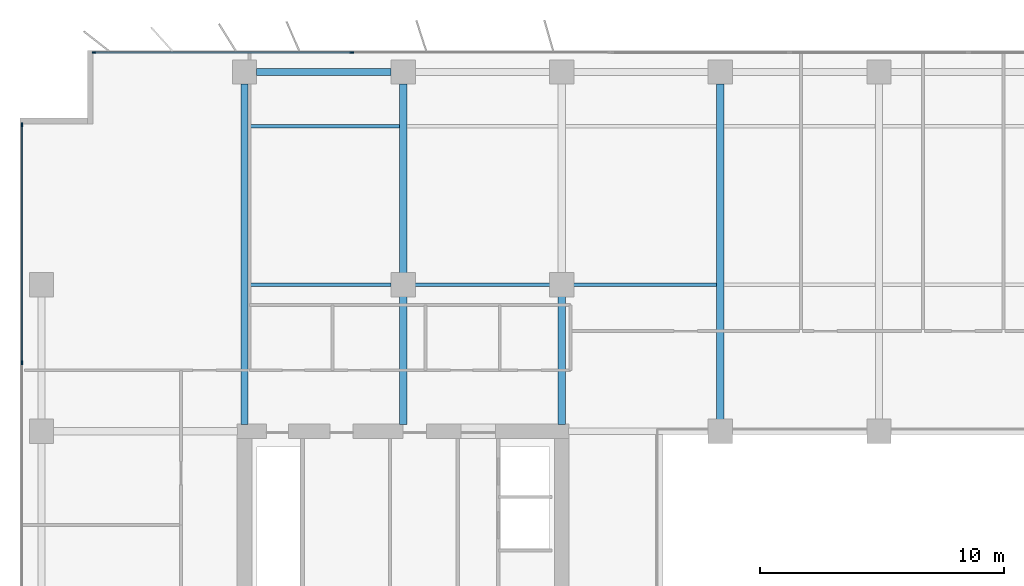
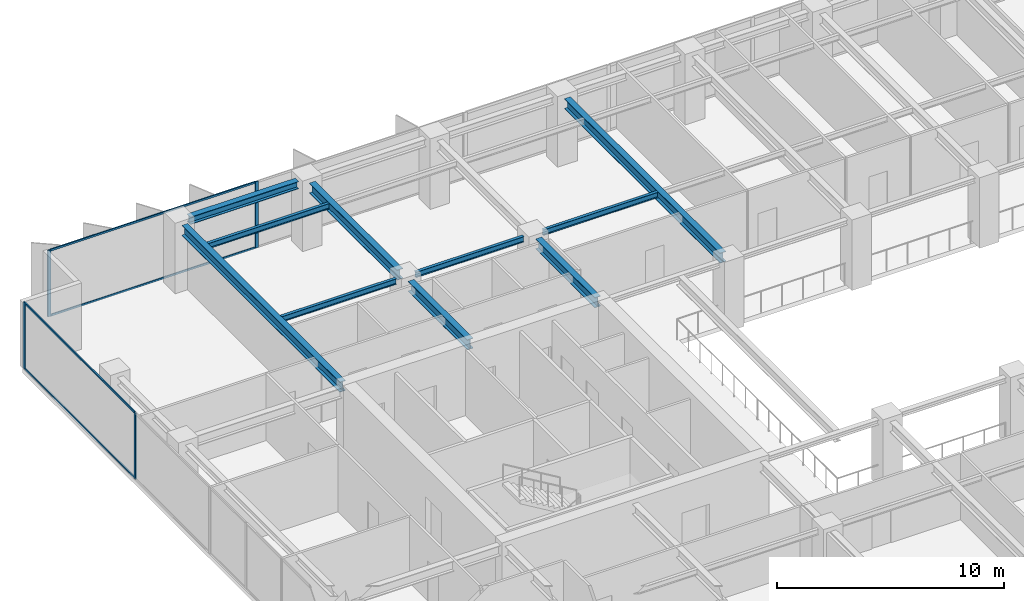
# One storey, part 8 of 22: 10 beams, 8 members, 2 elements without a shape of their own.
"""IFC4 building model written with IfcOpenShell, lengths in metres."""

import ifcopenshell
import ifcopenshell.guid

model = None  # the IFC model being written
_history = None  # IfcOwnerHistory: only IFC2X3 demands one
_inside = {}  # id of a spatial element -> (the spatial element, [elements in it])
_under = {}  # id of a project, library or spatial element -> (it, [spatial elements below it])
_declared = {}  # id of a project -> (the project, [libraries it declares])
_typed = {}  # id of a type object -> (the type object, [elements of that type])
_made_of = {}  # id of a material, layer set ... -> (it, [elements and type objects made of it])


def new_model(schema):
    """Start an empty IFC model of exactly this schema.

    Asked for "IFC4X3", IfcOpenShell would pick the latest addendum, in which some entities
    have other attributes; the version numbers below select the first issue.
    IFC2X3 requires an IfcOwnerHistory on every rooted entity: one is made here for all.
    """
    global model, _history
    if schema == "IFC4X3":
        model = ifcopenshell.file(schema_version=(4, 3, 0, 0))
    else:
        model = ifcopenshell.file(schema=schema)
    _inside.clear()
    _under.clear()
    _declared.clear()
    _typed.clear()
    _made_of.clear()
    _history = None
    if model.schema == "IFC2X3":
        org = make("IfcOrganization", Name="unknown")
        user = make(
            "IfcPersonAndOrganization",
            ThePerson=make("IfcPerson", FamilyName="unknown"),
            TheOrganization=org,
        )
        app = make(
            "IfcApplication",
            ApplicationDeveloper=org,
            Version="unknown",
            ApplicationFullName="unknown",
            ApplicationIdentifier="unknown",
        )
        _history = make(
            "IfcOwnerHistory",
            OwningUser=user,
            OwningApplication=app,
            ChangeAction="ADDED",
            CreationDate=0,
        )
    return model


def make(cls, **values):
    """One entity of the class cls with the attributes given. An attribute that is None is left unset."""
    return model.create_entity(
        cls, **{name: value for name, value in values.items() if value is not None}
    )


def rooted(cls, **values):
    """An entity with a GlobalId (a new one), such as an element, a storey or a relation."""
    return make(cls, GlobalId=ifcopenshell.guid.new(), OwnerHistory=_history, **values)


def si_unit(unit_type, name, prefix=None):
    """IfcSIUnit, for example si_unit("LENGTHUNIT", "METRE", prefix="MILLI")."""
    return make("IfcSIUnit", UnitType=unit_type, Prefix=prefix, Name=name)


def assignment(units):
    """IfcUnitAssignment: the units of a project."""
    return None if units is None else make("IfcUnitAssignment", Units=units)


def point(xyz):
    """IfcCartesianPoint."""
    return None if xyz is None else make("IfcCartesianPoint", Coordinates=xyz)


def direction(xyz):
    """IfcDirection."""
    return None if xyz is None else make("IfcDirection", DirectionRatios=xyz)


def frame(location, z_axis=None, x_axis=None):
    """IfcAxis2Placement3D, a coordinate frame: its origin and axes. An axis left out is left unset."""
    return make(
        "IfcAxis2Placement3D",
        Location=point(location),
        Axis=direction(z_axis),
        RefDirection=direction(x_axis),
    )


def frame_2d(location, x_axis=None):
    """IfcAxis2Placement2D, a coordinate frame in the plane: its origin and x axis."""
    return make(
        "IfcAxis2Placement2D", Location=point(location), RefDirection=direction(x_axis)
    )


def origin():
    """The frame at (0, 0, 0) with its axes left unset."""
    return frame((0.0, 0.0, 0.0))


def origin_2d():
    """The frame at (0, 0) in the plane with its x axis left unset."""
    return frame_2d((0.0, 0.0))


def place(relative_to, where):
    """IfcLocalPlacement: puts the frame where relative to a parent placement (None: the world)."""
    return make(
        "IfcLocalPlacement", PlacementRelTo=relative_to, RelativePlacement=where
    )


def context(
    kind, dimensions, precision=None, world=None, true_north=None, identifier=None
):
    """IfcGeometricRepresentationContext, for example the 3D "Model" context."""
    return make(
        "IfcGeometricRepresentationContext",
        ContextIdentifier=identifier,
        ContextType=kind,
        CoordinateSpaceDimension=dimensions,
        Precision=precision,
        WorldCoordinateSystem=world,
        TrueNorth=true_north,
    )


def subcontext(parent, identifier, kind, view, scale=None):
    """IfcGeometricRepresentationSubContext, for example "Body" below "Model"."""
    return make(
        "IfcGeometricRepresentationSubContext",
        ContextIdentifier=identifier,
        ContextType=kind,
        ParentContext=parent,
        TargetScale=scale,
        TargetView=view,
    )


def project(units=None, contexts=None):
    """IfcProject with its units and contexts."""
    return rooted(
        "IfcProject",
        Name="project",
        RepresentationContexts=contexts,
        UnitsInContext=assignment(units),
    )


def spatial(cls, under=None, at=None, **own):
    """A site, building, storey or space (cls), placed at a placement, below another one or the project."""
    s = rooted(cls, ObjectPlacement=at, **own)
    if under is not None:
        _under.setdefault(under.id(), (under, []))[1].append(s)
    return s


def profile(cls, at=None, kind="AREA", **sizes):
    """A parametric profile (cls). Its sizes go by their IFC names, for example OverallWidth=200.0."""
    return make(cls, ProfileType=kind, Position=at, **sizes)


def rectangle(**sizes):
    """IfcRectangleProfileDef."""
    return profile("IfcRectangleProfileDef", **sizes)


def i_section(**sizes):
    """IfcIShapeProfileDef."""
    return profile("IfcIShapeProfileDef", **sizes)


def extrude(swept, where, along, depth):
    """IfcExtrudedAreaSolid: the profile swept, set in the frame where, extruded along a direction by depth."""
    return make(
        "IfcExtrudedAreaSolid",
        SweptArea=swept,
        Position=where,
        ExtrudedDirection=direction(along),
        Depth=depth,
    )


def shape(context_of_items, identifier, shape_type, items):
    """IfcShapeRepresentation: the items that make up one representation, for example the "Body"."""
    return make(
        "IfcShapeRepresentation",
        ContextOfItems=context_of_items,
        RepresentationIdentifier=identifier,
        RepresentationType=shape_type,
        Items=items,
    )


def material(Name=None, Category=None):
    """IfcMaterial."""
    return make("IfcMaterial", Name=Name, Category=Category)


def layer(
    of_material, thickness, ventilated=None, Name=None, Category=None, Priority=None
):
    """IfcMaterialLayer: one layer of a wall or slab, of a material (None: an air gap)."""
    return make(
        "IfcMaterialLayer",
        Material=of_material,
        LayerThickness=thickness,
        IsVentilated=ventilated,
        Name=Name,
        Category=Category,
        Priority=Priority,
    )


def layer_set(layers, Name=None):
    """IfcMaterialLayerSet."""
    return make("IfcMaterialLayerSet", MaterialLayers=layers, LayerSetName=Name)


def material_profile(
    of_material, cross_section, Name=None, Category=None, Priority=None
):
    """IfcMaterialProfile: a cross section and its material."""
    return make(
        "IfcMaterialProfile",
        Name=Name,
        Material=of_material,
        Profile=cross_section,
        Priority=Priority,
        Category=Category,
    )


def profile_set(profiles, Name=None, composite=None):
    """IfcMaterialProfileSet."""
    return make(
        "IfcMaterialProfileSet",
        Name=Name,
        MaterialProfiles=profiles,
        CompositeProfile=composite,
    )


def made_of(thing, what):
    """Note that an element or type object is made of a material, layer set ...; save() writes the relation."""
    if what is not None:
        _made_of.setdefault(what.id(), (what, []))[1].append(thing)
    return thing


def type_object(cls, material=None, **own):
    """A type object (cls), such as IfcWallType, which elements share."""
    return made_of(rooted(cls, **own), material)


def element(
    cls,
    number,
    at=None,
    inside=None,
    cuts=None,
    type_object=None,
    material=None,
    context=None,
    identifier="Body",
    shape_type=None,
    held_by="IfcProductDefinitionShape",
    body=None,
    shapes=None,
    **own,
):
    """One element of the class cls, such as IfcWall. Its Tag is "e" and its number.

    at: its placement. inside: the storey or other place that contains it. cuts: it is an
    opening in that element (IfcRelVoidsElement). A single representation is given by context,
    identifier, shape_type and body (its items); several are given by shapes. held_by: the class
    of the entity that holds the representations. save() writes the other relations.
    """
    e = rooted(cls, Tag="e%d" % number, ObjectPlacement=at, **own)
    if body is not None:
        shapes = [shape(context, identifier, shape_type, body)]
    if shapes is not None:
        e.Representation = make(held_by, Representations=shapes)
    if inside is not None:
        _inside.setdefault(inside.id(), (inside, []))[1].append(e)
    if cuts is not None:
        rooted(
            "IfcRelVoidsElement", RelatingBuildingElement=cuts, RelatedOpeningElement=e
        )
    if type_object is not None:
        _typed.setdefault(type_object.id(), (type_object, []))[1].append(e)
    return made_of(e, material)


def aggregate(whole, parts):
    """IfcRelAggregates: a whole, such as a stair, and the parts it consists of."""
    return rooted("IfcRelAggregates", RelatingObject=whole, RelatedObjects=parts)


def save(model, path):
    """Write the relations noted so far, then the file.

    IfcRelAggregates (storeys below a building ...), IfcRelContainedInSpatialStructure (elements
    in a storey), IfcRelDefinesByType, IfcRelAssociatesMaterial and IfcRelDeclares: one each for
    every whole, place, type object, material and project.
    """
    for whole, parts in _under.values():
        aggregate(whole, parts)
    for where, things in _inside.values():
        rooted(
            "IfcRelContainedInSpatialStructure",
            RelatedElements=things,
            RelatingStructure=where,
        )
    for kind, things in _typed.values():
        rooted("IfcRelDefinesByType", RelatedObjects=things, RelatingType=kind)
    for what, things in _made_of.values():
        rooted("IfcRelAssociatesMaterial", RelatedObjects=things, RelatingMaterial=what)
    for by, libraries in _declared.values():
        rooted("IfcRelDeclares", RelatingContext=by, RelatedDefinitions=libraries)
    model.write(path)


model = new_model("IFC4")

# Units and contexts
model_context = context("Model", 3, precision=1e-05, world=origin(), true_north=direction((0.0, 1.0)))
body_context = subcontext(model_context, "Body", "Model", "MODEL_VIEW")
ifc_project = project(units=[si_unit("LENGTHUNIT", "METRE"), si_unit("AREAUNIT", "SQUARE_METRE"), si_unit("VOLUMEUNIT", "CUBIC_METRE"), si_unit("PLANEANGLEUNIT", "RADIAN"), si_unit("MASSUNIT", "GRAM", prefix="KILO")], contexts=[model_context])

# Site, building, storey
site_placement = place(None, origin())
site = spatial("IfcSite", under=ifc_project, at=site_placement, CompositionType="ELEMENT")
building_placement = place(site_placement, origin())
building = spatial("IfcBuilding", under=site, at=building_placement, Name="Putna Gate Headquarters", CompositionType="ELEMENT")
storey_placement = place(building_placement, frame((0.0, 0.0, 189.800048828125)))
storey = spatial("IfcBuildingStorey", under=building, at=storey_placement, Name="L47", CompositionType="ELEMENT", Elevation=189.800048828125)

# Beams
ifc_material_1 = material(Name="Steel S355J2", Category="steel")
ifc_material_profile_1 = material_profile(ifc_material_1, i_section(OverallWidth=0.300048828125, OverallDepth=0.550048828125, WebThickness=0.014892578125, FlangeThickness=0.029052734375, at=origin_2d()), Name="Steel S355J2")
ifc_profile_set_1 = profile_set([ifc_material_profile_1], Name="Steel S355J2")
beam_type_1 = type_object("IfcBeamType", Name="BM-GIRD-Z3-HEB550", PredefinedType="USERDEFINED", material=ifc_profile_set_1)
beam_1_placement = place(storey_placement, frame((13.0, 33.284912109375, 3.296875), z_axis=(0.0, 1.0, 0.0), x_axis=(-1.0, 0.0, 0.0)))
element("IfcBeam", 1, at=beam_1_placement, inside=storey, type_object=beam_type_1, Name="L47 North Primary Girder X13", ObjectType="GIRDER", PredefinedType="USERDEFINED", context=body_context, shape_type="SweptSolid", body=[
    extrude(i_section(OverallWidth=0.300048828125, OverallDepth=0.550048828125, WebThickness=0.014892578125, FlangeThickness=0.029052734375, at=origin_2d()), origin(), (0.0, 0.0, 1.0), 13.947021484375),
])
beam_2_placement = place(storey_placement, frame((19.5, 33.284912109375, 3.296875), z_axis=(0.0, 1.0, 0.0), x_axis=(-1.0, 0.0, 0.0)))
element("IfcBeam", 2, at=beam_2_placement, inside=storey, type_object=beam_type_1, Name="L47 North Primary Girder X19-1", ObjectType="GIRDER", PredefinedType="USERDEFINED", context=body_context, shape_type="SweptSolid", body=[
    extrude(i_section(OverallWidth=0.300048828125, OverallDepth=0.550048828125, WebThickness=0.014892578125, FlangeThickness=0.029052734375, at=origin_2d()), origin(), (0.0, 0.0, 1.0), 5.22705078125),
])
beam_3_placement = place(storey_placement, frame((19.5, 39.488037109375, 3.296875), z_axis=(0.0, 1.0, 0.0), x_axis=(-1.0, 0.0, 0.0)))
element("IfcBeam", 3, at=beam_3_placement, inside=storey, type_object=beam_type_1, Name="L47 North Primary Girder X19-2", ObjectType="GIRDER", PredefinedType="USERDEFINED", context=body_context, shape_type="SweptSolid", body=[
    extrude(i_section(OverallWidth=0.300048828125, OverallDepth=0.550048828125, WebThickness=0.014892578125, FlangeThickness=0.029052734375, at=origin_2d()), origin(), (0.0, 0.0, 1.0), 7.743896484375),
])
beam_4_placement = place(storey_placement, frame((26.0, 33.284912109375, 3.296875), z_axis=(0.0, 1.0, 0.0), x_axis=(-1.0, 0.0, 0.0)))
element("IfcBeam", 4, at=beam_4_placement, inside=storey, type_object=beam_type_1, Name="L47 North Primary Girder X26-1", ObjectType="GIRDER", PredefinedType="USERDEFINED", context=body_context, shape_type="SweptSolid", body=[
    extrude(i_section(OverallWidth=0.300048828125, OverallDepth=0.550048828125, WebThickness=0.014892578125, FlangeThickness=0.029052734375, at=origin_2d()), origin(), (0.0, 0.0, 1.0), 5.22705078125),
])
beam_5_placement = place(storey_placement, frame((32.5, 33.488037109375, 3.296875), z_axis=(0.0, 1.0, 0.0), x_axis=(-1.0, 0.0, 0.0)))
element("IfcBeam", 5, at=beam_5_placement, inside=storey, type_object=beam_type_1, Name="L47 North Primary Girder X32", ObjectType="GIRDER", PredefinedType="USERDEFINED", context=body_context, shape_type="SweptSolid", body=[
    extrude(i_section(OverallWidth=0.300048828125, OverallDepth=0.550048828125, WebThickness=0.014892578125, FlangeThickness=0.029052734375, at=origin_2d()), origin(), (0.0, 0.0, 1.0), 13.743896484375),
])
ifc_material_profile_2 = material_profile(ifc_material_1, i_section(OverallWidth=0.14990234375, OverallDepth=0.300048828125, WebThickness=0.007080078125, FlangeThickness=0.0107421875, at=origin_2d()), Name="Steel S355J2")
ifc_profile_set_2 = profile_set([ifc_material_profile_2], Name="Steel S355J2")
beam_type_2 = type_object("IfcBeamType", Name="BM-SEC-Z3-IPE300", PredefinedType="JOIST", material=ifc_profile_set_2)
beam_6_placement = place(storey_placement, frame((13.154052734375, 39.0, 3.421875), z_axis=(1.0, 0.0, 0.0), x_axis=(0.0, 1.0, 0.0)))
element("IfcBeam", 6, at=beam_6_placement, inside=storey, type_object=beam_type_2, Name="L47 North Secondary Beam 1", PredefinedType="JOIST", context=body_context, shape_type="SweptSolid", body=[
    extrude(i_section(OverallWidth=0.14990234375, OverallDepth=0.300048828125, WebThickness=0.007080078125, FlangeThickness=0.0107421875, at=origin_2d()), origin(), (0.0, 0.0, 1.0), 5.85791015625),
])
beam_7_placement = place(storey_placement, frame((13.154052734375, 45.5, 3.421875), z_axis=(1.0, 0.0, 0.0), x_axis=(0.0, 1.0, 0.0)))
element("IfcBeam", 7, at=beam_7_placement, inside=storey, type_object=beam_type_2, Name="L47 North Secondary Beam 1", PredefinedType="JOIST", context=body_context, shape_type="SweptSolid", body=[
    extrude(i_section(OverallWidth=0.14990234375, OverallDepth=0.300048828125, WebThickness=0.007080078125, FlangeThickness=0.0107421875, at=origin_2d()), origin(), (0.0, 0.0, 1.0), 6.19189453125),
])
beam_8_placement = place(storey_placement, frame((19.988037109375, 39.0, 3.421875), z_axis=(1.0, 0.0, 0.0), x_axis=(0.0, 1.0, 0.0)))
element("IfcBeam", 8, at=beam_8_placement, inside=storey, type_object=beam_type_2, Name="L47 North Secondary Beam 2", PredefinedType="JOIST", context=body_context, shape_type="SweptSolid", body=[
    extrude(i_section(OverallWidth=0.14990234375, OverallDepth=0.300048828125, WebThickness=0.007080078125, FlangeThickness=0.0107421875, at=origin_2d()), origin(), (0.0, 0.0, 1.0), 5.52392578125),
])
beam_9_placement = place(storey_placement, frame((26.488037109375, 39.0, 3.421875), z_axis=(1.0, 0.0, 0.0), x_axis=(0.0, 1.0, 0.0)))
element("IfcBeam", 9, at=beam_9_placement, inside=storey, type_object=beam_type_2, Name="L47 North Secondary Beam 3", PredefinedType="JOIST", context=body_context, shape_type="SweptSolid", body=[
    extrude(i_section(OverallWidth=0.14990234375, OverallDepth=0.300048828125, WebThickness=0.007080078125, FlangeThickness=0.0107421875, at=origin_2d()), origin(), (0.0, 0.0, 1.0), 5.85791015625),
])
ifc_material_profile_3 = material_profile(ifc_material_1, i_section(OverallWidth=0.300048828125, OverallDepth=0.39990234375, WebThickness=0.013427734375, FlangeThickness=0.02392578125, at=origin_2d()), Name="Steel S355J2")
ifc_profile_set_3 = profile_set([ifc_material_profile_3], Name="Steel S355J2")
beam_type_3 = type_object("IfcBeamType", Name="BM-SPAN-Z3-HEB400", PredefinedType="SPANDREL", material=ifc_profile_set_3)
beam_10_placement = place(storey_placement, frame((13.488037109375, 47.719970703125, 3.3720703125), z_axis=(1.0, 0.0, 0.0), x_axis=(0.0, 1.0, 0.0)))
element("IfcBeam", 10, at=beam_10_placement, inside=storey, type_object=beam_type_3, Name="L47 N Perimeter Spandrel 1", PredefinedType="SPANDREL", context=body_context, shape_type="SweptSolid", body=[
    extrude(i_section(OverallWidth=0.300048828125, OverallDepth=0.39990234375, WebThickness=0.013427734375, FlangeThickness=0.02392578125, at=origin_2d()), origin(), (0.0, 0.0, 1.0), 5.52392578125),
])

# Curtain wall, members
ifc_material_2 = material(Name="Anodised bronze aluminium curtain wall", Category="aluminium")
ifc_layer = layer(ifc_material_2, 0.159912109375)
ifc_layer_set = layer_set([ifc_layer], Name="Anodised bronze aluminium curtain wall")
curtain_wall_type = type_object("IfcCurtainWallType", Name="CW-SYS-Z3", PredefinedType="USERDEFINED", material=ifc_layer_set)
curtain_wall_1_placement = place(storey_placement, origin())
curtain_wall_1 = element("IfcCurtainWall", 11, at=curtain_wall_1_placement, inside=storey, type_object=curtain_wall_type, Name="L47 North West Curtain Wall", ObjectType="STICK CURTAIN WALL", PredefinedType="USERDEFINED")
ifc_material_3 = material(Name="Anodised bronze aluminium EN AW-6060", Category="aluminium")
ifc_material_profile_4 = material_profile(ifc_material_3, rectangle(XDim=0.06494140625, YDim=0.159912109375, at=origin_2d()), Name="Anodised bronze aluminium EN AW-6060")
ifc_profile_set_4 = profile_set([ifc_material_profile_4], Name="Anodised bronze aluminium EN AW-6060")
member_type_1 = type_object("IfcMemberType", Name="MULL-CWM-3", PredefinedType="MULLION", material=ifc_profile_set_4)
member_1_placement = place(storey_placement, frame((6.83251953125, 48.52001953125, 0.0), z_axis=(0.0, 0.0, 1.0), x_axis=(0.0, 1.0, 0.0)))
member_1 = element("IfcMember", 12, at=member_1_placement, type_object=member_type_1, Name="CWS-3 mullion 1", PredefinedType="MULLION", context=body_context, shape_type="SweptSolid", body=[
    extrude(rectangle(XDim=0.06494140625, YDim=0.159912109375, at=origin_2d()), origin(), (0.0, 0.0, 1.0), 3.572021484375),
])
member_2_placement = place(storey_placement, frame((17.39990234375, 48.52001953125, 0.0), z_axis=(0.0, 0.0, 1.0), x_axis=(0.0, 1.0, 0.0)))
member_2 = element("IfcMember", 13, at=member_2_placement, type_object=member_type_1, Name="CWS-3 mullion 2", PredefinedType="MULLION", context=body_context, shape_type="SweptSolid", body=[
    extrude(rectangle(XDim=0.06494140625, YDim=0.159912109375, at=origin_2d()), origin(), (0.0, 0.0, 1.0), 3.572021484375),
])

curtain_wall_2_placement = place(storey_placement, origin())
curtain_wall_2 = element("IfcCurtainWall", 14, at=curtain_wall_2_placement, inside=storey, type_object=curtain_wall_type, Name="L47 West Curtain Wall", ObjectType="STICK CURTAIN WALL", PredefinedType="USERDEFINED")
member_3_placement = place(storey_placement, frame((3.8798828125, 35.800048828125, 0.0), z_axis=(0.0, 0.0, 1.0), x_axis=(-1.0, 0.0, 0.0)))
member_3 = element("IfcMember", 15, at=member_3_placement, type_object=member_type_1, Name="CWS-3 mullion 4", PredefinedType="MULLION", context=body_context, shape_type="SweptSolid", body=[
    extrude(rectangle(XDim=0.06494140625, YDim=0.159912109375, at=origin_2d()), origin(), (0.0, 0.0, 1.0), 3.572021484375),
])
member_4_placement = place(storey_placement, frame((3.8798828125, 45.5673828125, 0.0), z_axis=(0.0, 0.0, 1.0), x_axis=(-1.0, 0.0, 0.0)))
member_4 = element("IfcMember", 16, at=member_4_placement, type_object=member_type_1, Name="CWS-3 mullion 5", PredefinedType="MULLION", context=body_context, shape_type="SweptSolid", body=[
    extrude(rectangle(XDim=0.06494140625, YDim=0.159912109375, at=origin_2d()), origin(), (0.0, 0.0, 1.0), 3.572021484375),
])

# Member
ifc_material_profile_5 = material_profile(ifc_material_3, rectangle(XDim=0.06005859375, YDim=0.10009765625, at=origin_2d()), Name="Anodised bronze aluminium EN AW-6060")
ifc_profile_set_5 = profile_set([ifc_material_profile_5], Name="Anodised bronze aluminium EN AW-6060")
member_type_2 = type_object("IfcMemberType", Name="TRAN-CWT-3", PredefinedType="USERDEFINED", material=ifc_profile_set_5)
member_5_placement = place(storey_placement, frame((6.864990234375, 48.52001953125, 0.030029296875), z_axis=(1.0, 0.0, 0.0), x_axis=(0.0, 1.0, 0.0)))
member_5 = element("IfcMember", 17, at=member_5_placement, type_object=member_type_2, Name="CWS-3 transom 1.1", ObjectType="TRANSOM", PredefinedType="USERDEFINED", context=body_context, shape_type="SweptSolid", body=[
    extrude(rectangle(XDim=0.06005859375, YDim=0.10009765625, at=origin_2d()), origin(), (0.0, 0.0, 1.0), 10.50244140625),
])

member_6_placement = place(storey_placement, frame((6.864990234375, 48.52001953125, 3.5419921875), z_axis=(1.0, 0.0, 0.0), x_axis=(0.0, 1.0, 0.0)))
member_6 = element("IfcMember", 18, at=member_6_placement, type_object=member_type_2, Name="CWS-3 transom 1.2", ObjectType="TRANSOM", PredefinedType="USERDEFINED", context=body_context, shape_type="SweptSolid", body=[
    extrude(rectangle(XDim=0.06005859375, YDim=0.10009765625, at=origin_2d()), origin(), (0.0, 0.0, 1.0), 10.50244140625),
])

aggregate(curtain_wall_1, [member_1, member_2, member_5, member_6])

member_7_placement = place(storey_placement, frame((3.8798828125, 35.83251953125, 0.030029296875), z_axis=(0.0, 1.0, 0.0), x_axis=(-1.0, 0.0, 0.0)))
member_7 = element("IfcMember", 19, at=member_7_placement, type_object=member_type_2, Name="CWS-3 transom 4.1", ObjectType="TRANSOM", PredefinedType="USERDEFINED", context=body_context, shape_type="SweptSolid", body=[
    extrude(rectangle(XDim=0.06005859375, YDim=0.10009765625, at=origin_2d()), origin(), (0.0, 0.0, 1.0), 9.702392578125),
])

member_8_placement = place(storey_placement, frame((3.8798828125, 35.83251953125, 3.5419921875), z_axis=(0.0, 1.0, 0.0), x_axis=(-1.0, 0.0, 0.0)))
member_8 = element("IfcMember", 20, at=member_8_placement, type_object=member_type_2, Name="CWS-3 transom 4.2", ObjectType="TRANSOM", PredefinedType="USERDEFINED", context=body_context, shape_type="SweptSolid", body=[
    extrude(rectangle(XDim=0.06005859375, YDim=0.10009765625, at=origin_2d()), origin(), (0.0, 0.0, 1.0), 9.702392578125),
])

aggregate(curtain_wall_2, [member_3, member_4, member_7, member_8])

save(model, "model.ifc")
